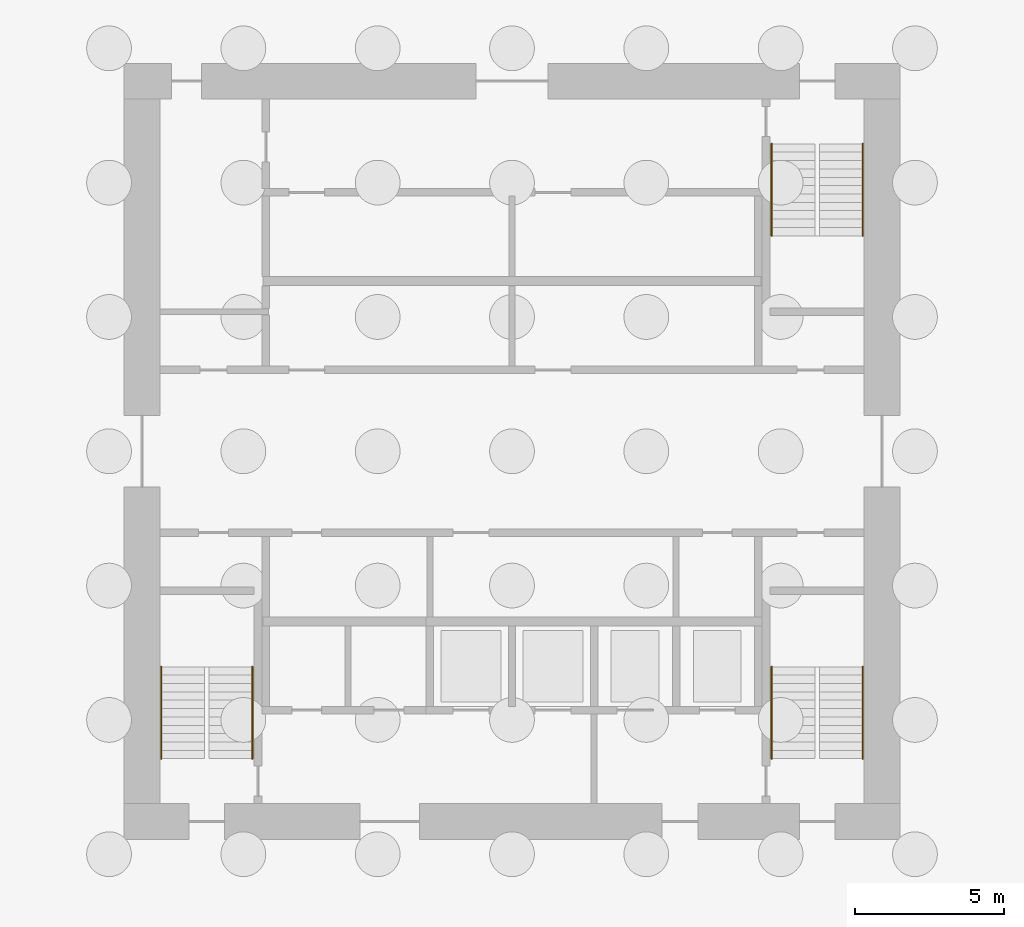
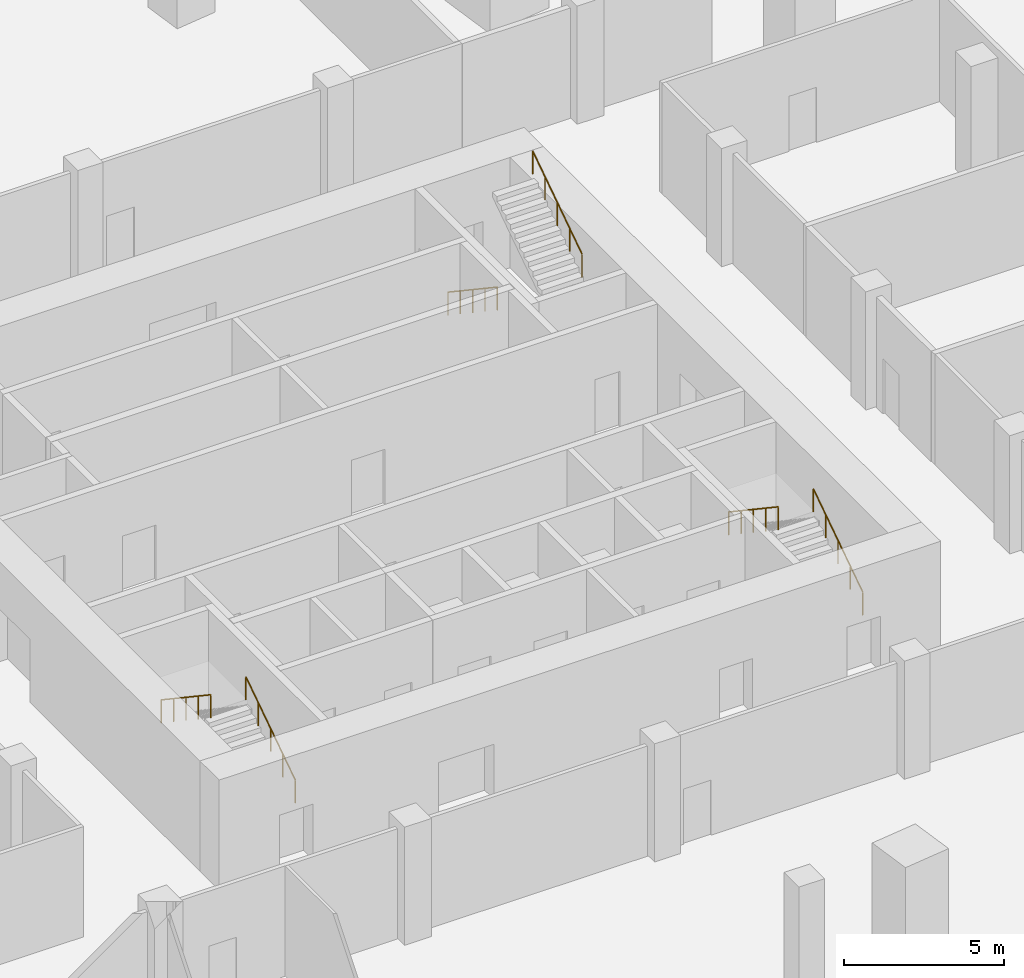
# One storey, part 8 of 12: 6 railings.
"""IFC4 building model written with IfcOpenShell, lengths in metres."""

from ifc_helpers import new_model, si_unit, direction, frame, origin, origin_2d, place, context, subcontext, project, spatial, circle, extrude, material, type_object, element, save


model = new_model("IFC4")

# Units and contexts
model_context = context("Model", 3, precision=1e-05, world=origin(), true_north=direction((0.0, 1.0)))
body_context = subcontext(model_context, "Body", "Model", "MODEL_VIEW")
ifc_project = project(units=[si_unit("LENGTHUNIT", "METRE"), si_unit("AREAUNIT", "SQUARE_METRE"), si_unit("VOLUMEUNIT", "CUBIC_METRE"), si_unit("PLANEANGLEUNIT", "RADIAN"), si_unit("MASSUNIT", "GRAM", prefix="KILO")], contexts=[model_context])

# Site, building, storey
site_placement = place(None, origin())
site = spatial("IfcSite", under=ifc_project, at=site_placement, CompositionType="ELEMENT")
building_placement = place(site_placement, origin())
building = spatial("IfcBuilding", under=site, at=building_placement, Name="Dilmun Exchange Tower", CompositionType="ELEMENT")
storey_placement = place(building_placement, frame((0.0, 0.0, -9.0)))
storey = spatial("IfcBuildingStorey", under=building, at=storey_placement, Name="B2", CompositionType="ELEMENT", Elevation=-9.0)

# Railings
ifc_material = material(Name="Stainless steel", Category="steel")
railing_type = type_object("IfcRailingType", Name="Stair handrail 900", PredefinedType="HANDRAIL", material=ifc_material)
railing_1_placement = place(storey_placement, frame((8.699951171875, 10.300048828125, 0.1875)))
element("IfcRailing", 1, at=railing_1_placement, inside=storey, type_object=railing_type, Name="B2 ST1 stair handrail 1", PredefinedType="HANDRAIL", context=body_context, shape_type="SweptSolid", body=[
    extrude(circle(Radius=0.02392578125, at=origin_2d()), frame((0.0, 0.0, 0.8759765625), z_axis=(0.0, -0.830913701846, 0.55640131208), x_axis=(1.0, 0.0, 0.0)), (0.0, 0.0, 1.0), 3.706787109375),
    extrude(circle(Radius=0.02099609375, at=origin_2d()), origin(), (0.0, 0.0, 1.0), 0.851806640625),
    extrude(circle(Radius=0.02099609375, at=origin_2d()), frame((0.0, -0.77001953125, 0.515625)), (0.0, 0.0, 1.0), 0.851806640625),
    extrude(circle(Radius=0.02099609375, at=origin_2d()), frame((0.0, -1.5400390625, 1.03125)), (0.0, 0.0, 1.0), 0.851806640625),
    extrude(circle(Radius=0.02099609375, at=origin_2d()), frame((0.0, -2.31005859375, 1.546875)), (0.0, 0.0, 1.0), 0.851806640625),
    extrude(circle(Radius=0.02099609375, at=origin_2d()), frame((0.0, -3.080078125, 2.0625)), (0.0, 0.0, 1.0), 0.851806640625),
])
for number, where, name in (
    (2, (11.75, 7.219970703125, 2.4375), "B2 ST1 stair handrail 2"),
    (3, (-8.699951171875, -10.300048828125, 0.1875), "B2 ST2 stair handrail 1"),
):
    element("IfcRailing", number, at=place(storey_placement, frame(where)), inside=storey, type_object=railing_type, Name=name, PredefinedType="HANDRAIL", context=body_context, shape_type="SweptSolid", body=[
        extrude(circle(Radius=0.02392578125, at=origin_2d()), frame((0.0, 0.0, 0.8759765625), z_axis=(0.0, 0.830913701846, 0.55640131208), x_axis=(-1.0, 0.0, 0.0)), (0.0, 0.0, 1.0), 3.706787109375),
        extrude(circle(Radius=0.02099609375, at=origin_2d()), origin(), (0.0, 0.0, 1.0), 0.851806640625),
        extrude(circle(Radius=0.02099609375, at=origin_2d()), frame((0.0, 0.77001953125, 0.515625)), (0.0, 0.0, 1.0), 0.851806640625),
        extrude(circle(Radius=0.02099609375, at=origin_2d()), frame((0.0, 1.5400390625, 1.03125)), (0.0, 0.0, 1.0), 0.851806640625),
        extrude(circle(Radius=0.02099609375, at=origin_2d()), frame((0.0, 2.31005859375, 1.546875)), (0.0, 0.0, 1.0), 0.851806640625),
        extrude(circle(Radius=0.02099609375, at=origin_2d()), frame((0.0, 3.080078125, 2.0625)), (0.0, 0.0, 1.0), 0.851806640625),
    ])
railing_2_placement = place(storey_placement, frame((-11.75, -7.219970703125, 2.4375)))
element("IfcRailing", 4, at=railing_2_placement, inside=storey, type_object=railing_type, Name="B2 ST2 stair handrail 2", PredefinedType="HANDRAIL", context=body_context, shape_type="SweptSolid", body=[
    extrude(circle(Radius=0.02392578125, at=origin_2d()), frame((0.0, 0.0, 0.8759765625), z_axis=(0.0, -0.830913701846, 0.55640131208), x_axis=(1.0, 0.0, 0.0)), (0.0, 0.0, 1.0), 3.706787109375),
    extrude(circle(Radius=0.02099609375, at=origin_2d()), origin(), (0.0, 0.0, 1.0), 0.851806640625),
    extrude(circle(Radius=0.02099609375, at=origin_2d()), frame((0.0, -0.77001953125, 0.515625)), (0.0, 0.0, 1.0), 0.851806640625),
    extrude(circle(Radius=0.02099609375, at=origin_2d()), frame((0.0, -1.5400390625, 1.03125)), (0.0, 0.0, 1.0), 0.851806640625),
    extrude(circle(Radius=0.02099609375, at=origin_2d()), frame((0.0, -2.31005859375, 1.546875)), (0.0, 0.0, 1.0), 0.851806640625),
    extrude(circle(Radius=0.02099609375, at=origin_2d()), frame((0.0, -3.080078125, 2.0625)), (0.0, 0.0, 1.0), 0.851806640625),
])
railing_3_placement = place(storey_placement, frame((11.75, -10.300048828125, 0.1875)))
element("IfcRailing", 5, at=railing_3_placement, inside=storey, type_object=railing_type, Name="B2 ST3 stair handrail 1", PredefinedType="HANDRAIL", context=body_context, shape_type="SweptSolid", body=[
    extrude(circle(Radius=0.02392578125, at=origin_2d()), frame((0.0, 0.0, 0.8759765625), z_axis=(0.0, 0.830913701846, 0.55640131208), x_axis=(-1.0, 0.0, 0.0)), (0.0, 0.0, 1.0), 3.706787109375),
    extrude(circle(Radius=0.02099609375, at=origin_2d()), origin(), (0.0, 0.0, 1.0), 0.851806640625),
    extrude(circle(Radius=0.02099609375, at=origin_2d()), frame((0.0, 0.77001953125, 0.515625)), (0.0, 0.0, 1.0), 0.851806640625),
    extrude(circle(Radius=0.02099609375, at=origin_2d()), frame((0.0, 1.5400390625, 1.03125)), (0.0, 0.0, 1.0), 0.851806640625),
    extrude(circle(Radius=0.02099609375, at=origin_2d()), frame((0.0, 2.31005859375, 1.546875)), (0.0, 0.0, 1.0), 0.851806640625),
    extrude(circle(Radius=0.02099609375, at=origin_2d()), frame((0.0, 3.080078125, 2.0625)), (0.0, 0.0, 1.0), 0.851806640625),
])
railing_4_placement = place(storey_placement, frame((8.699951171875, -7.219970703125, 2.4375)))
element("IfcRailing", 6, at=railing_4_placement, inside=storey, type_object=railing_type, Name="B2 ST3 stair handrail 2", PredefinedType="HANDRAIL", context=body_context, shape_type="SweptSolid", body=[
    extrude(circle(Radius=0.02392578125, at=origin_2d()), frame((0.0, 0.0, 0.8759765625), z_axis=(0.0, -0.830913701846, 0.55640131208), x_axis=(1.0, 0.0, 0.0)), (0.0, 0.0, 1.0), 3.706787109375),
    extrude(circle(Radius=0.02099609375, at=origin_2d()), origin(), (0.0, 0.0, 1.0), 0.851806640625),
    extrude(circle(Radius=0.02099609375, at=origin_2d()), frame((0.0, -0.77001953125, 0.515625)), (0.0, 0.0, 1.0), 0.851806640625),
    extrude(circle(Radius=0.02099609375, at=origin_2d()), frame((0.0, -1.5400390625, 1.03125)), (0.0, 0.0, 1.0), 0.851806640625),
    extrude(circle(Radius=0.02099609375, at=origin_2d()), frame((0.0, -2.31005859375, 1.546875)), (0.0, 0.0, 1.0), 0.851806640625),
    extrude(circle(Radius=0.02099609375, at=origin_2d()), frame((0.0, -3.080078125, 2.0625)), (0.0, 0.0, 1.0), 0.851806640625),
])

save(model, "model.ifc")
